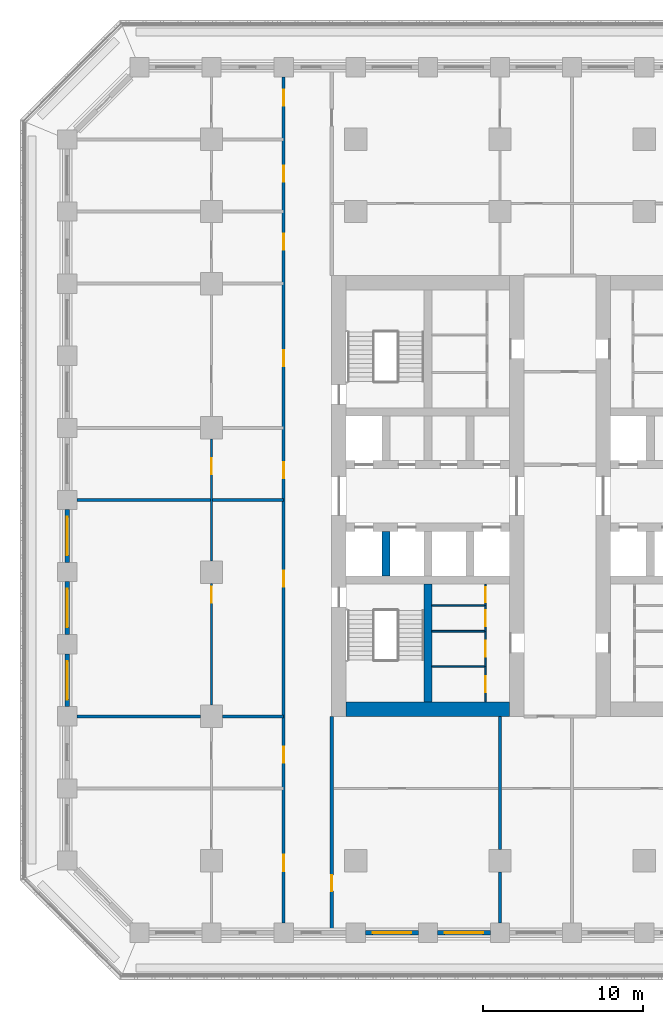
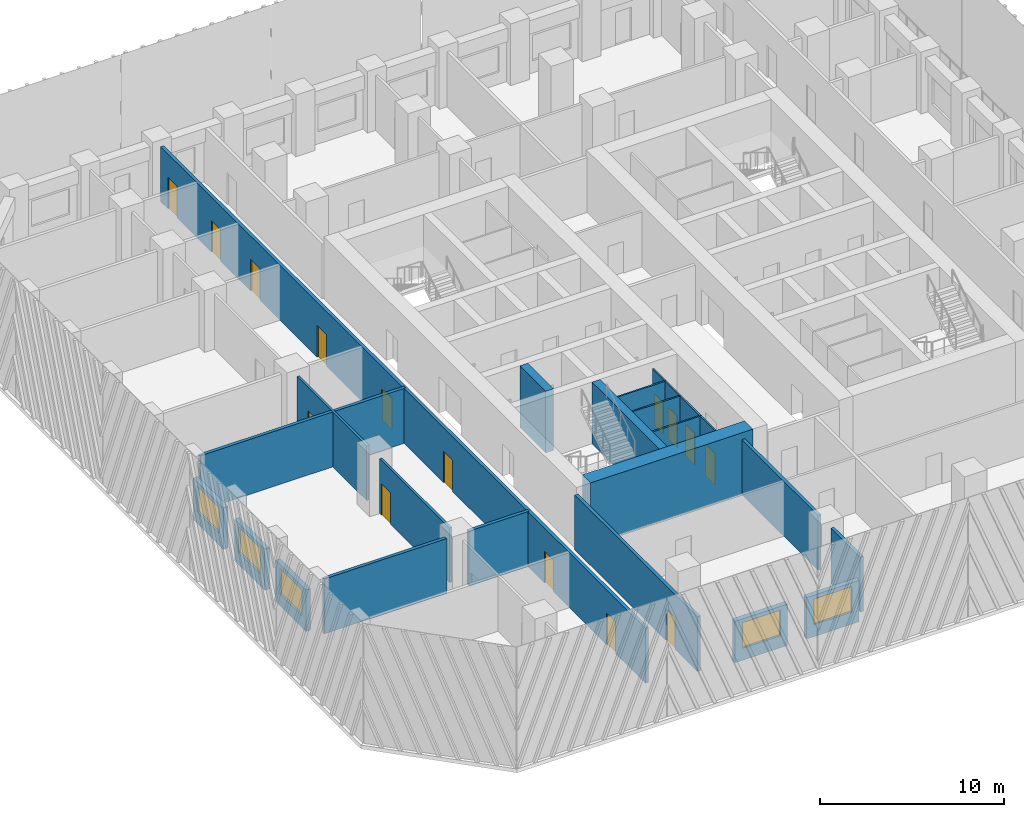
# One storey, part 3 of 19: 24 walls, 15 doors, 5 windows, 20 openings.
"""IFC4 building model written with IfcOpenShell, lengths in metres."""

import ifcopenshell
import ifcopenshell.guid

model = None  # the IFC model being written
_history = None  # IfcOwnerHistory: only IFC2X3 demands one
_inside = {}  # id of a spatial element -> (the spatial element, [elements in it])
_under = {}  # id of a project, library or spatial element -> (it, [spatial elements below it])
_declared = {}  # id of a project -> (the project, [libraries it declares])
_typed = {}  # id of a type object -> (the type object, [elements of that type])
_made_of = {}  # id of a material, layer set ... -> (it, [elements and type objects made of it])


def new_model(schema):
    """Start an empty IFC model of exactly this schema.

    Asked for "IFC4X3", IfcOpenShell would pick the latest addendum, in which some entities
    have other attributes; the version numbers below select the first issue.
    IFC2X3 requires an IfcOwnerHistory on every rooted entity: one is made here for all.
    """
    global model, _history
    if schema == "IFC4X3":
        model = ifcopenshell.file(schema_version=(4, 3, 0, 0))
    else:
        model = ifcopenshell.file(schema=schema)
    _inside.clear()
    _under.clear()
    _declared.clear()
    _typed.clear()
    _made_of.clear()
    _history = None
    if model.schema == "IFC2X3":
        org = make("IfcOrganization", Name="unknown")
        user = make(
            "IfcPersonAndOrganization",
            ThePerson=make("IfcPerson", FamilyName="unknown"),
            TheOrganization=org,
        )
        app = make(
            "IfcApplication",
            ApplicationDeveloper=org,
            Version="unknown",
            ApplicationFullName="unknown",
            ApplicationIdentifier="unknown",
        )
        _history = make(
            "IfcOwnerHistory",
            OwningUser=user,
            OwningApplication=app,
            ChangeAction="ADDED",
            CreationDate=0,
        )
    return model


def make(cls, **values):
    """One entity of the class cls with the attributes given. An attribute that is None is left unset."""
    return model.create_entity(
        cls, **{name: value for name, value in values.items() if value is not None}
    )


def rooted(cls, **values):
    """An entity with a GlobalId (a new one), such as an element, a storey or a relation."""
    return make(cls, GlobalId=ifcopenshell.guid.new(), OwnerHistory=_history, **values)


def si_unit(unit_type, name, prefix=None):
    """IfcSIUnit, for example si_unit("LENGTHUNIT", "METRE", prefix="MILLI")."""
    return make("IfcSIUnit", UnitType=unit_type, Prefix=prefix, Name=name)


def assignment(units):
    """IfcUnitAssignment: the units of a project."""
    return None if units is None else make("IfcUnitAssignment", Units=units)


def point(xyz):
    """IfcCartesianPoint."""
    return None if xyz is None else make("IfcCartesianPoint", Coordinates=xyz)


def direction(xyz):
    """IfcDirection."""
    return None if xyz is None else make("IfcDirection", DirectionRatios=xyz)


def frame(location, z_axis=None, x_axis=None):
    """IfcAxis2Placement3D, a coordinate frame: its origin and axes. An axis left out is left unset."""
    return make(
        "IfcAxis2Placement3D",
        Location=point(location),
        Axis=direction(z_axis),
        RefDirection=direction(x_axis),
    )


def frame_2d(location, x_axis=None):
    """IfcAxis2Placement2D, a coordinate frame in the plane: its origin and x axis."""
    return make(
        "IfcAxis2Placement2D", Location=point(location), RefDirection=direction(x_axis)
    )


def origin():
    """The frame at (0, 0, 0) with its axes left unset."""
    return frame((0.0, 0.0, 0.0))


def place(relative_to, where):
    """IfcLocalPlacement: puts the frame where relative to a parent placement (None: the world)."""
    return make(
        "IfcLocalPlacement", PlacementRelTo=relative_to, RelativePlacement=where
    )


def context(
    kind, dimensions, precision=None, world=None, true_north=None, identifier=None
):
    """IfcGeometricRepresentationContext, for example the 3D "Model" context."""
    return make(
        "IfcGeometricRepresentationContext",
        ContextIdentifier=identifier,
        ContextType=kind,
        CoordinateSpaceDimension=dimensions,
        Precision=precision,
        WorldCoordinateSystem=world,
        TrueNorth=true_north,
    )


def subcontext(parent, identifier, kind, view, scale=None):
    """IfcGeometricRepresentationSubContext, for example "Body" below "Model"."""
    return make(
        "IfcGeometricRepresentationSubContext",
        ContextIdentifier=identifier,
        ContextType=kind,
        ParentContext=parent,
        TargetScale=scale,
        TargetView=view,
    )


def project(units=None, contexts=None):
    """IfcProject with its units and contexts."""
    return rooted(
        "IfcProject",
        Name="project",
        RepresentationContexts=contexts,
        UnitsInContext=assignment(units),
    )


def spatial(cls, under=None, at=None, **own):
    """A site, building, storey or space (cls), placed at a placement, below another one or the project."""
    s = rooted(cls, ObjectPlacement=at, **own)
    if under is not None:
        _under.setdefault(under.id(), (under, []))[1].append(s)
    return s


def profile(cls, at=None, kind="AREA", **sizes):
    """A parametric profile (cls). Its sizes go by their IFC names, for example OverallWidth=200.0."""
    return make(cls, ProfileType=kind, Position=at, **sizes)


def rectangle(**sizes):
    """IfcRectangleProfileDef."""
    return profile("IfcRectangleProfileDef", **sizes)


def extrude(swept, where, along, depth):
    """IfcExtrudedAreaSolid: the profile swept, set in the frame where, extruded along a direction by depth."""
    return make(
        "IfcExtrudedAreaSolid",
        SweptArea=swept,
        Position=where,
        ExtrudedDirection=direction(along),
        Depth=depth,
    )


def shape(context_of_items, identifier, shape_type, items):
    """IfcShapeRepresentation: the items that make up one representation, for example the "Body"."""
    return make(
        "IfcShapeRepresentation",
        ContextOfItems=context_of_items,
        RepresentationIdentifier=identifier,
        RepresentationType=shape_type,
        Items=items,
    )


def material(Name=None, Category=None):
    """IfcMaterial."""
    return make("IfcMaterial", Name=Name, Category=Category)


def layer(
    of_material, thickness, ventilated=None, Name=None, Category=None, Priority=None
):
    """IfcMaterialLayer: one layer of a wall or slab, of a material (None: an air gap)."""
    return make(
        "IfcMaterialLayer",
        Material=of_material,
        LayerThickness=thickness,
        IsVentilated=ventilated,
        Name=Name,
        Category=Category,
        Priority=Priority,
    )


def layer_set(layers, Name=None):
    """IfcMaterialLayerSet."""
    return make("IfcMaterialLayerSet", MaterialLayers=layers, LayerSetName=Name)


def made_of(thing, what):
    """Note that an element or type object is made of a material, layer set ...; save() writes the relation."""
    if what is not None:
        _made_of.setdefault(what.id(), (what, []))[1].append(thing)
    return thing


def type_object(cls, material=None, **own):
    """A type object (cls), such as IfcWallType, which elements share."""
    return made_of(rooted(cls, **own), material)


def element(
    cls,
    number,
    at=None,
    inside=None,
    cuts=None,
    type_object=None,
    material=None,
    context=None,
    identifier="Body",
    shape_type=None,
    held_by="IfcProductDefinitionShape",
    body=None,
    shapes=None,
    **own,
):
    """One element of the class cls, such as IfcWall. Its Tag is "e" and its number.

    at: its placement. inside: the storey or other place that contains it. cuts: it is an
    opening in that element (IfcRelVoidsElement). A single representation is given by context,
    identifier, shape_type and body (its items); several are given by shapes. held_by: the class
    of the entity that holds the representations. save() writes the other relations.
    """
    e = rooted(cls, Tag="e%d" % number, ObjectPlacement=at, **own)
    if body is not None:
        shapes = [shape(context, identifier, shape_type, body)]
    if shapes is not None:
        e.Representation = make(held_by, Representations=shapes)
    if inside is not None:
        _inside.setdefault(inside.id(), (inside, []))[1].append(e)
    if cuts is not None:
        rooted(
            "IfcRelVoidsElement", RelatingBuildingElement=cuts, RelatedOpeningElement=e
        )
    if type_object is not None:
        _typed.setdefault(type_object.id(), (type_object, []))[1].append(e)
    return made_of(e, material)


def fill(opening, filler):
    """IfcRelFillsElement: the door or window that sits in an opening."""
    return rooted(
        "IfcRelFillsElement",
        RelatingOpeningElement=opening,
        RelatedBuildingElement=filler,
    )


def aggregate(whole, parts):
    """IfcRelAggregates: a whole, such as a stair, and the parts it consists of."""
    return rooted("IfcRelAggregates", RelatingObject=whole, RelatedObjects=parts)


def save(model, path):
    """Write the relations noted so far, then the file.

    IfcRelAggregates (storeys below a building ...), IfcRelContainedInSpatialStructure (elements
    in a storey), IfcRelDefinesByType, IfcRelAssociatesMaterial and IfcRelDeclares: one each for
    every whole, place, type object, material and project.
    """
    for whole, parts in _under.values():
        aggregate(whole, parts)
    for where, things in _inside.values():
        rooted(
            "IfcRelContainedInSpatialStructure",
            RelatedElements=things,
            RelatingStructure=where,
        )
    for kind, things in _typed.values():
        rooted("IfcRelDefinesByType", RelatedObjects=things, RelatingType=kind)
    for what, things in _made_of.values():
        rooted("IfcRelAssociatesMaterial", RelatedObjects=things, RelatingMaterial=what)
    for by, libraries in _declared.values():
        rooted("IfcRelDeclares", RelatingContext=by, RelatedDefinitions=libraries)
    model.write(path)


model = new_model("IFC4")

# Units and contexts
model_context = context("Model", 3, precision=1e-05, world=origin(), true_north=direction((0.0, 1.0)))
body_context = subcontext(model_context, "Body", "Model", "MODEL_VIEW")
ifc_project = project(units=[si_unit("LENGTHUNIT", "METRE"), si_unit("AREAUNIT", "SQUARE_METRE"), si_unit("VOLUMEUNIT", "CUBIC_METRE"), si_unit("PLANEANGLEUNIT", "RADIAN"), si_unit("MASSUNIT", "GRAM", prefix="KILO")], contexts=[model_context])

# Site, building, storey
site_placement = place(None, origin())
site = spatial("IfcSite", under=ifc_project, at=site_placement, CompositionType="ELEMENT")
building_placement = place(site_placement, origin())
building = spatial("IfcBuilding", under=site, at=building_placement, Name="Corbel Stack Research Tower", CompositionType="ELEMENT")
storey_placement = place(building_placement, frame((0.0, 0.0, 124.89990234375)))
storey = spatial("IfcBuildingStorey", under=building, at=storey_placement, Name="L28", CompositionType="ELEMENT", Elevation=124.89990234375)

# Walls
ifc_material_1 = material(Name="Concrete C70/85", Category="concrete")
ifc_layer_1 = layer(ifc_material_1, 0.5)
ifc_layer_set_1 = layer_set([ifc_layer_1], Name="Concrete C70/85")
wall_type_1 = type_object("IfcWallType", Name="CW-500-70", PredefinedType="SHEAR", material=ifc_layer_set_1)
wall_1_placement = place(storey_placement, frame((-7.125, -0.25, 0.0), z_axis=(0.0, 0.0, 1.0), x_axis=(0.0, 1.0, 0.0)))
element("IfcWall", 1, at=wall_1_placement, inside=storey, type_object=wall_type_1, Name="West core wall, south shaft 1 L28", PredefinedType="SHEAR", context=body_context, shape_type="SweptSolid", body=[
    extrude(rectangle(XDim=2.800048828125, YDim=0.5, at=frame_2d((1.39990234375, 0.0))), origin(), (0.0, 0.0, 1.0), 4.10009765625),
])
wall_2_placement = place(storey_placement, frame((-4.5, -8.10009765625, 0.0), z_axis=(0.0, 0.0, 1.0), x_axis=(0.0, 1.0, 0.0)))
element("IfcWall", 2, at=wall_2_placement, inside=storey, type_object=wall_type_1, Name="West core wall, south stair and WC L28", PredefinedType="SHEAR", context=body_context, shape_type="SweptSolid", body=[
    extrude(rectangle(XDim=7.35009765625, YDim=0.5, at=frame_2d((3.675048828125, 0.0))), origin(), (0.0, 0.0, 1.0), 4.10009765625),
])
ifc_material_2 = material(Name="Concrete C70/85", Category="concrete")
ifc_layer_2 = layer(ifc_material_2, 0.89990234375)
ifc_layer_set_2 = layer_set([ifc_layer_2], Name="Concrete C70/85")
wall_type_2 = type_object("IfcWallType", Name="CW-900-70", PredefinedType="SHEAR", material=ifc_layer_set_2)
wall_3_placement = place(storey_placement, frame((-9.60009765625, -8.550048828125, 0.0), z_axis=(0.0, 0.0, 1.0), x_axis=(1.0, 0.0, 0.0)))
element("IfcWall", 3, at=wall_3_placement, inside=storey, type_object=wall_type_2, Name="West core wall, south end L28", PredefinedType="SHEAR", context=body_context, shape_type="SweptSolid", body=[
    extrude(rectangle(XDim=10.2001953125, YDim=0.89990234375, at=frame_2d((5.10009765625, 0.0))), origin(), (0.0, 0.0, 1.0), 4.10009765625),
])

# Wall, opening, door
ifc_material_3 = material(Name="Gypsum board")
ifc_layer_3 = layer(ifc_material_3, 0.10009765625)
ifc_layer_set_3 = layer_set([ifc_layer_3], Name="Gypsum board")
wall_type_3 = type_object("IfcWallType", Name="Core partition 100", PredefinedType="PARTITIONING", material=ifc_layer_set_3)
wall_4_placement = place(storey_placement, frame((-0.89990234375, -8.10009765625, 0.0), z_axis=(0.0, 0.0, 1.0), x_axis=(0.0, 1.0, 0.0)))
wall_4 = element("IfcWall", 4, at=wall_4_placement, inside=storey, type_object=wall_type_3, Name="Core partition W", PredefinedType="PARTITIONING", context=body_context, shape_type="SweptSolid", body=[
    extrude(rectangle(XDim=2.205078125, YDim=0.10009765625, at=frame_2d((1.1025390625, 0.0))), origin(), (0.0, 0.0, 1.0), 3.650146484375),
])
opening_1_placement = place(wall_4_placement, frame((0.6025390625, 0.0, 0.0)))
opening_1 = element("IfcOpeningElement", 5, at=opening_1_placement, cuts=wall_4, Name="Opening CR-W42-W2-1000", PredefinedType="OPENING", context=body_context, shape_type="SweptSolid", body=[
    extrude(rectangle(XDim=1.0, YDim=2.10009765625, at=frame_2d((0.5, 1.050048828125))), frame((0.0, 0.06005859375, 0.0), z_axis=(0.0, -1.0, 0.0), x_axis=(1.0, 0.0, 0.0)), (0.0, 0.0, 1.0), 0.1201171875),
])
ifc_material_4 = material(Name="Painted timber door", Category="wood")
door_type_1 = type_object("IfcDoorType", Name="WC door 1000 x 2100 right hand", OperationType="SINGLE_SWING_RIGHT", PredefinedType="DOOR", material=ifc_material_4)
door_1_placement = place(opening_1_placement, origin())
door_1 = element("IfcDoor", 6, at=door_1_placement, inside=storey, type_object=door_type_1, Name="Men's WC door W core", OperationType="SINGLE_SWING_RIGHT", OverallHeight=2.10009765625, OverallWidth=1.0, PredefinedType="DOOR", context=body_context, shape_type="SweptSolid", body=[
    extrude(rectangle(XDim=1.0, YDim=2.10009765625, at=frame_2d((0.5, 1.050048828125))), frame((0.0, 0.02490234375, 0.0), z_axis=(0.0, -1.0, 0.0), x_axis=(1.0, 0.0, 0.0)), (0.0, 0.0, 1.0), 0.050048828125),
])
fill(opening_1, door_1)

wall_5_placement = place(storey_placement, frame((-0.89990234375, -5.89501953125, 0.0), z_axis=(0.0, 0.0, 1.0), x_axis=(0.0, 1.0, 0.0)))
wall_5 = element("IfcWall", 7, at=wall_5_placement, inside=storey, type_object=wall_type_3, Name="Core partition W", PredefinedType="PARTITIONING", context=body_context, shape_type="SweptSolid", body=[
    extrude(rectangle(XDim=2.205078125, YDim=0.10009765625, at=frame_2d((1.1025390625, 0.0))), origin(), (0.0, 0.0, 1.0), 3.650146484375),
])
opening_2_placement = place(wall_5_placement, frame((0.6025390625, 0.0, 0.0)))
opening_2 = element("IfcOpeningElement", 8, at=opening_2_placement, cuts=wall_5, Name="Opening CR-W42-W3-1000", PredefinedType="OPENING", context=body_context, shape_type="SweptSolid", body=[
    extrude(rectangle(XDim=1.0, YDim=2.10009765625, at=frame_2d((0.5, 1.050048828125))), frame((0.0, 0.06005859375, 0.0), z_axis=(0.0, -1.0, 0.0), x_axis=(1.0, 0.0, 0.0)), (0.0, 0.0, 1.0), 0.1201171875),
])
ifc_material_5 = material(Name="Painted timber door", Category="wood")
door_type_2 = type_object("IfcDoorType", Name="WC door 1000 x 2100 left hand", OperationType="SINGLE_SWING_LEFT", PredefinedType="DOOR", material=ifc_material_5)
door_2_placement = place(opening_2_placement, origin())
door_2 = element("IfcDoor", 9, at=door_2_placement, inside=storey, type_object=door_type_2, Name="Women's WC door W core", OperationType="SINGLE_SWING_LEFT", OverallHeight=2.10009765625, OverallWidth=1.0, PredefinedType="DOOR", context=body_context, shape_type="SweptSolid", body=[
    extrude(rectangle(XDim=1.0, YDim=2.10009765625, at=frame_2d((0.5, 1.050048828125))), frame((0.0, 0.02490234375, 0.0), z_axis=(0.0, -1.0, 0.0), x_axis=(1.0, 0.0, 0.0)), (0.0, 0.0, 1.0), 0.050048828125),
])
fill(opening_2, door_2)

wall_6_placement = place(storey_placement, frame((-0.89990234375, -3.68994140625, 0.0), z_axis=(0.0, 0.0, 1.0), x_axis=(0.0, 1.0, 0.0)))
wall_6 = element("IfcWall", 10, at=wall_6_placement, inside=storey, type_object=wall_type_3, Name="Core partition W", PredefinedType="PARTITIONING", context=body_context, shape_type="SweptSolid", body=[
    extrude(rectangle(XDim=1.616943359375, YDim=0.10009765625, at=frame_2d((0.80859375, 0.0))), origin(), (0.0, 0.0, 1.0), 3.650146484375),
])
opening_3_placement = place(wall_6_placement, frame((0.30859375, 0.0, 0.0)))
opening_3 = element("IfcOpeningElement", 11, at=opening_3_placement, cuts=wall_6, Name="Opening CR-W42-W4-1000", PredefinedType="OPENING", context=body_context, shape_type="SweptSolid", body=[
    extrude(rectangle(XDim=1.0, YDim=2.10009765625, at=frame_2d((0.5, 1.050048828125))), frame((0.0, 0.06005859375, 0.0), z_axis=(0.0, -1.0, 0.0), x_axis=(1.0, 0.0, 0.0)), (0.0, 0.0, 1.0), 0.1201171875),
])
door_3_placement = place(opening_3_placement, origin())
door_3 = element("IfcDoor", 12, at=door_3_placement, inside=storey, type_object=door_type_1, Name="Accessible WC door W core", OperationType="SINGLE_SWING_RIGHT", OverallHeight=2.10009765625, OverallWidth=1.0, PredefinedType="DOOR", context=body_context, shape_type="SweptSolid", body=[
    extrude(rectangle(XDim=1.0, YDim=2.10009765625, at=frame_2d((0.5, 1.050048828125))), frame((0.0, 0.02490234375, 0.0), z_axis=(0.0, -1.0, 0.0), x_axis=(1.0, 0.0, 0.0)), (0.0, 0.0, 1.0), 0.050048828125),
])
fill(opening_3, door_3)

wall_7_placement = place(storey_placement, frame((-0.89990234375, -2.072998046875, 0.0), z_axis=(0.0, 0.0, 1.0), x_axis=(0.0, 1.0, 0.0)))
wall_7 = element("IfcWall", 13, at=wall_7_placement, inside=storey, type_object=wall_type_3, Name="Core partition W", PredefinedType="PARTITIONING", context=body_context, shape_type="SweptSolid", body=[
    extrude(rectangle(XDim=1.322998046875, YDim=0.10009765625, at=frame_2d((0.66162109375, 0.0))), origin(), (0.0, 0.0, 1.0), 3.650146484375),
])
opening_4_placement = place(wall_7_placement, frame((0.199951171875, 0.0, 0.0)))
opening_4 = element("IfcOpeningElement", 14, at=opening_4_placement, cuts=wall_7, Name="Opening CR-W42-W5-923", PredefinedType="OPENING", context=body_context, shape_type="SweptSolid", body=[
    extrude(rectangle(XDim=0.923095703125, YDim=2.10009765625, at=frame_2d((0.46142578125, 1.050048828125))), frame((0.0, 0.06005859375, 0.0), z_axis=(0.0, -1.0, 0.0), x_axis=(1.0, 0.0, 0.0)), (0.0, 0.0, 1.0), 0.1201171875),
])
ifc_material_6 = material(Name="Painted steel door", Category="steel")
door_type_3 = type_object("IfcDoorType", Name="Service door 923 x 2100 FD30 left hand", OperationType="SINGLE_SWING_LEFT", PredefinedType="DOOR", material=ifc_material_6)
door_4_placement = place(opening_4_placement, origin())
door_4 = element("IfcDoor", 15, at=door_4_placement, inside=storey, type_object=door_type_3, Name="Cleaner's store door W core", OperationType="SINGLE_SWING_LEFT", OverallHeight=2.10009765625, OverallWidth=0.923095703125, PredefinedType="DOOR", context=body_context, shape_type="SweptSolid", body=[
    extrude(rectangle(XDim=0.923095703125, YDim=2.10009765625, at=frame_2d((0.46142578125, 1.050048828125))), frame((0.0, 0.02490234375, 0.0), z_axis=(0.0, -1.0, 0.0), x_axis=(1.0, 0.0, 0.0)), (0.0, 0.0, 1.0), 0.050048828125),
])
fill(opening_4, door_4)

# Walls
for number, where, z_axis, x_axis, name in (
    (16, (-4.25, -5.89501953125, 0.0), (0.0, 0.0, 1.0), (1.0, 0.0, 0.0), "Core partition W"),
    (17, (-4.25, -3.68994140625, 0.0), (0.0, 0.0, 1.0), (1.0, 0.0, 0.0), "Core partition W"),
    (18, (-4.25, -2.072998046875, 0.0), (0.0, 0.0, 1.0), (1.0, 0.0, 0.0), "Core partition W"),
):
    element("IfcWall", number, at=place(storey_placement, frame(where, z_axis=z_axis, x_axis=x_axis)), inside=storey, type_object=wall_type_3, Name=name, PredefinedType="PARTITIONING", context=body_context, shape_type="SweptSolid", body=[
        extrude(rectangle(XDim=3.35009765625, YDim=0.10009765625, at=frame_2d((1.675048828125, 0.0))), origin(), (0.0, 0.0, 1.0), 3.650146484375),
    ])

# Wall, openings, doors
ifc_material_7 = material(Name="Fire-rated gypsum board partition on steel studs", Category="steel")
ifc_layer_4 = layer(ifc_material_7, 0.199951171875)
ifc_layer_set_4 = layer_set([ifc_layer_4], Name="Fire-rated gypsum board partition on steel studs")
wall_type_4 = type_object("IfcWallType", Name="Fire-rated partition 200 EI 60", PredefinedType="PARTITIONING", material=ifc_layer_set_4)
wall_8_placement = place(storey_placement, frame((-13.5, -21.89990234375, 0.0), z_axis=(0.0, 0.0, 1.0), x_axis=(0.0, 1.0, 0.0)))
wall_8 = element("IfcWall", 19, at=wall_8_placement, inside=storey, type_object=wall_type_4, Name="Partition L28-009", PredefinedType="PARTITIONING", context=body_context, shape_type="SweptSolid", body=[
    extrude(rectangle(XDim=52.7998046875, YDim=0.199951171875, at=frame_2d((26.39990234375, 0.0))), origin(), (0.0, 0.0, 1.0), 3.650146484375),
])
opening_5_placement = place(wall_8_placement, frame((3.25, 0.0, 0.0)))
opening_5 = element("IfcOpeningElement", 20, at=opening_5_placement, cuts=wall_8, Name="Opening B4V1-009", PredefinedType="OPENING", context=body_context, shape_type="SweptSolid", body=[
    extrude(rectangle(XDim=1.0, YDim=2.10009765625, at=frame_2d((0.5, 1.050048828125))), frame((0.0, 0.10986328125, 0.0), z_axis=(0.0, -1.0, 0.0), x_axis=(1.0, 0.0, 0.0)), (0.0, 0.0, 1.0), 0.219970703125),
])
opening_6_placement = place(wall_8_placement, frame((10.0, 0.0, 0.0)))
opening_6 = element("IfcOpeningElement", 21, at=opening_6_placement, cuts=wall_8, Name="Opening B4V1-010", PredefinedType="OPENING", context=body_context, shape_type="SweptSolid", body=[
    extrude(rectangle(XDim=1.0, YDim=2.10009765625, at=frame_2d((0.5, 1.050048828125))), frame((0.0, 0.10986328125, 0.0), z_axis=(0.0, -1.0, 0.0), x_axis=(1.0, 0.0, 0.0)), (0.0, 0.0, 1.0), 0.219970703125),
])
opening_7_placement = place(wall_8_placement, frame((21.0, 0.0, 0.0)))
opening_7 = element("IfcOpeningElement", 22, at=opening_7_placement, cuts=wall_8, Name="Opening B4V1-012", PredefinedType="OPENING", context=body_context, shape_type="SweptSolid", body=[
    extrude(rectangle(XDim=1.0, YDim=2.10009765625, at=frame_2d((0.5, 1.050048828125))), frame((0.0, 0.10986328125, 0.0), z_axis=(0.0, -1.0, 0.0), x_axis=(1.0, 0.0, 0.0)), (0.0, 0.0, 1.0), 0.219970703125),
])
opening_8_placement = place(wall_8_placement, frame((27.75, 0.0, 0.0)))
opening_8 = element("IfcOpeningElement", 23, at=opening_8_placement, cuts=wall_8, Name="Opening B4V1-014", PredefinedType="OPENING", context=body_context, shape_type="SweptSolid", body=[
    extrude(rectangle(XDim=1.0, YDim=2.10009765625, at=frame_2d((0.5, 1.050048828125))), frame((0.0, 0.10986328125, 0.0), z_axis=(0.0, -1.0, 0.0), x_axis=(1.0, 0.0, 0.0)), (0.0, 0.0, 1.0), 0.219970703125),
])
opening_9_placement = place(wall_8_placement, frame((34.75, 0.0, 0.0)))
opening_9 = element("IfcOpeningElement", 24, at=opening_9_placement, cuts=wall_8, Name="Opening B4V1-016", PredefinedType="OPENING", context=body_context, shape_type="SweptSolid", body=[
    extrude(rectangle(XDim=1.0, YDim=2.10009765625, at=frame_2d((0.5, 1.050048828125))), frame((0.0, 0.10986328125, 0.0), z_axis=(0.0, -1.0, 0.0), x_axis=(1.0, 0.0, 0.0)), (0.0, 0.0, 1.0), 0.219970703125),
])
opening_10_placement = place(wall_8_placement, frame((42.0, 0.0, 0.0)))
opening_10 = element("IfcOpeningElement", 25, at=opening_10_placement, cuts=wall_8, Name="Opening B4V1-017", PredefinedType="OPENING", context=body_context, shape_type="SweptSolid", body=[
    extrude(rectangle(XDim=1.0, YDim=2.10009765625, at=frame_2d((0.5, 1.050048828125))), frame((0.0, 0.10986328125, 0.0), z_axis=(0.0, -1.0, 0.0), x_axis=(1.0, 0.0, 0.0)), (0.0, 0.0, 1.0), 0.219970703125),
])
opening_11_placement = place(wall_8_placement, frame((46.25, 0.0, 0.0)))
opening_11 = element("IfcOpeningElement", 26, at=opening_11_placement, cuts=wall_8, Name="Opening B4V1-018", PredefinedType="OPENING", context=body_context, shape_type="SweptSolid", body=[
    extrude(rectangle(XDim=1.0, YDim=2.10009765625, at=frame_2d((0.5, 1.050048828125))), frame((0.0, 0.10986328125, 0.0), z_axis=(0.0, -1.0, 0.0), x_axis=(1.0, 0.0, 0.0)), (0.0, 0.0, 1.0), 0.219970703125),
])
opening_12_placement = place(wall_8_placement, frame((51.0, 0.0, 0.0)))
opening_12 = element("IfcOpeningElement", 27, at=opening_12_placement, cuts=wall_8, Name="Opening B4V1-019", PredefinedType="OPENING", context=body_context, shape_type="SweptSolid", body=[
    extrude(rectangle(XDim=1.0, YDim=2.10009765625, at=frame_2d((0.5, 1.050048828125))), frame((0.0, 0.10986328125, 0.0), z_axis=(0.0, -1.0, 0.0), x_axis=(1.0, 0.0, 0.0)), (0.0, 0.0, 1.0), 0.219970703125),
])
ifc_material_8 = material(Name="Painted steel fire door", Category="steel")
door_type_4 = type_object("IfcDoorType", Name="Fire door FD30S 1000 x 2100", OperationType="NOTDEFINED", PredefinedType="DOOR", material=ifc_material_8)
door_5_placement = place(opening_5_placement, origin())
door_5 = element("IfcDoor", 28, at=door_5_placement, inside=storey, type_object=door_type_4, Name="Door B4V1-009", OperationType="SINGLE_SWING_LEFT", OverallHeight=2.10009765625, OverallWidth=1.0, PredefinedType="DOOR", context=body_context, shape_type="SweptSolid", body=[
    extrude(rectangle(XDim=1.0, YDim=2.10009765625, at=frame_2d((0.5, 1.050048828125))), frame((0.0, 0.02490234375, 0.0), z_axis=(0.0, -1.0, 0.0), x_axis=(1.0, 0.0, 0.0)), (0.0, 0.0, 1.0), 0.050048828125),
])
fill(opening_5, door_5)
door_6_placement = place(opening_6_placement, origin())
door_6 = element("IfcDoor", 29, at=door_6_placement, inside=storey, type_object=door_type_4, Name="Door B4V1-010", OperationType="SINGLE_SWING_LEFT", OverallHeight=2.10009765625, OverallWidth=1.0, PredefinedType="DOOR", context=body_context, shape_type="SweptSolid", body=[
    extrude(rectangle(XDim=1.0, YDim=2.10009765625, at=frame_2d((0.5, 1.050048828125))), frame((0.0, 0.02490234375, 0.0), z_axis=(0.0, -1.0, 0.0), x_axis=(1.0, 0.0, 0.0)), (0.0, 0.0, 1.0), 0.050048828125),
])
fill(opening_6, door_6)
door_7_placement = place(opening_7_placement, origin())
door_7 = element("IfcDoor", 30, at=door_7_placement, inside=storey, type_object=door_type_4, Name="Door B4V1-012", OperationType="SINGLE_SWING_LEFT", OverallHeight=2.10009765625, OverallWidth=1.0, PredefinedType="DOOR", context=body_context, shape_type="SweptSolid", body=[
    extrude(rectangle(XDim=1.0, YDim=2.10009765625, at=frame_2d((0.5, 1.050048828125))), frame((0.0, 0.02490234375, 0.0), z_axis=(0.0, -1.0, 0.0), x_axis=(1.0, 0.0, 0.0)), (0.0, 0.0, 1.0), 0.050048828125),
])
fill(opening_7, door_7)
door_8_placement = place(opening_8_placement, origin())
door_8 = element("IfcDoor", 31, at=door_8_placement, inside=storey, type_object=door_type_4, Name="Door B4V1-014", OperationType="SINGLE_SWING_RIGHT", OverallHeight=2.10009765625, OverallWidth=1.0, PredefinedType="DOOR", context=body_context, shape_type="SweptSolid", body=[
    extrude(rectangle(XDim=1.0, YDim=2.10009765625, at=frame_2d((0.5, 1.050048828125))), frame((0.0, 0.02490234375, 0.0), z_axis=(0.0, -1.0, 0.0), x_axis=(1.0, 0.0, 0.0)), (0.0, 0.0, 1.0), 0.050048828125),
])
fill(opening_8, door_8)
door_9_placement = place(opening_9_placement, origin())
door_9 = element("IfcDoor", 32, at=door_9_placement, inside=storey, type_object=door_type_4, Name="Door B4V1-016", OperationType="SINGLE_SWING_RIGHT", OverallHeight=2.10009765625, OverallWidth=1.0, PredefinedType="DOOR", context=body_context, shape_type="SweptSolid", body=[
    extrude(rectangle(XDim=1.0, YDim=2.10009765625, at=frame_2d((0.5, 1.050048828125))), frame((0.0, 0.02490234375, 0.0), z_axis=(0.0, -1.0, 0.0), x_axis=(1.0, 0.0, 0.0)), (0.0, 0.0, 1.0), 0.050048828125),
])
fill(opening_9, door_9)
door_10_placement = place(opening_10_placement, origin())
door_10 = element("IfcDoor", 33, at=door_10_placement, inside=storey, type_object=door_type_4, Name="Door B4V1-017", OperationType="SINGLE_SWING_RIGHT", OverallHeight=2.10009765625, OverallWidth=1.0, PredefinedType="DOOR", context=body_context, shape_type="SweptSolid", body=[
    extrude(rectangle(XDim=1.0, YDim=2.10009765625, at=frame_2d((0.5, 1.050048828125))), frame((0.0, 0.02490234375, 0.0), z_axis=(0.0, -1.0, 0.0), x_axis=(1.0, 0.0, 0.0)), (0.0, 0.0, 1.0), 0.050048828125),
])
fill(opening_10, door_10)
door_11_placement = place(opening_11_placement, origin())
door_11 = element("IfcDoor", 34, at=door_11_placement, inside=storey, type_object=door_type_4, Name="Door B4V1-018", OperationType="SINGLE_SWING_RIGHT", OverallHeight=2.10009765625, OverallWidth=1.0, PredefinedType="DOOR", context=body_context, shape_type="SweptSolid", body=[
    extrude(rectangle(XDim=1.0, YDim=2.10009765625, at=frame_2d((0.5, 1.050048828125))), frame((0.0, 0.02490234375, 0.0), z_axis=(0.0, -1.0, 0.0), x_axis=(1.0, 0.0, 0.0)), (0.0, 0.0, 1.0), 0.050048828125),
])
fill(opening_11, door_11)
door_12_placement = place(opening_12_placement, origin())
door_12 = element("IfcDoor", 35, at=door_12_placement, inside=storey, type_object=door_type_4, Name="Door B4V1-019", OperationType="SINGLE_SWING_RIGHT", OverallHeight=2.10009765625, OverallWidth=1.0, PredefinedType="DOOR", context=body_context, shape_type="SweptSolid", body=[
    extrude(rectangle(XDim=1.0, YDim=2.10009765625, at=frame_2d((0.5, 1.050048828125))), frame((0.0, 0.02490234375, 0.0), z_axis=(0.0, -1.0, 0.0), x_axis=(1.0, 0.0, 0.0)), (0.0, 0.0, 1.0), 0.050048828125),
])
fill(opening_12, door_12)

# Wall, opening, door
wall_9_placement = place(storey_placement, frame((-10.5, -9.0, 0.0), z_axis=(0.0, 0.0, 1.0), x_axis=(0.0, -1.0, 0.0)))
wall_9 = element("IfcWall", 36, at=wall_9_placement, inside=storey, type_object=wall_type_4, Name="Partition L28-010", PredefinedType="PARTITIONING", context=body_context, shape_type="SweptSolid", body=[
    extrude(rectangle(XDim=13.35009765625, YDim=0.199951171875, at=frame_2d((6.675048828125, 0.0))), origin(), (0.0, 0.0, 1.0), 3.650146484375),
])
opening_13_placement = place(wall_9_placement, frame((9.89990234375, 0.0, 0.0)))
opening_13 = element("IfcOpeningElement", 37, at=opening_13_placement, cuts=wall_9, Name="Opening B4V1-020", PredefinedType="OPENING", context=body_context, shape_type="SweptSolid", body=[
    extrude(rectangle(XDim=1.0, YDim=2.10009765625, at=frame_2d((0.5, 1.050048828125))), frame((0.0, 0.10986328125, 0.0), z_axis=(0.0, -1.0, 0.0), x_axis=(1.0, 0.0, 0.0)), (0.0, 0.0, 1.0), 0.219970703125),
])
door_13_placement = place(opening_13_placement, origin())
door_13 = element("IfcDoor", 38, at=door_13_placement, inside=storey, type_object=door_type_4, Name="Door B4V1-020", OperationType="SINGLE_SWING_RIGHT", OverallHeight=2.10009765625, OverallWidth=1.0, PredefinedType="DOOR", context=body_context, shape_type="SweptSolid", body=[
    extrude(rectangle(XDim=1.0, YDim=2.10009765625, at=frame_2d((0.5, 1.050048828125))), frame((0.0, 0.02490234375, 0.0), z_axis=(0.0, -1.0, 0.0), x_axis=(1.0, 0.0, 0.0)), (0.0, 0.0, 1.0), 0.050048828125),
])
fill(opening_13, door_13)

# Walls
wall_10_placement = place(storey_placement, frame((0.0, -21.89990234375, 0.0), z_axis=(0.0, 0.0, 1.0), x_axis=(0.0, 1.0, 0.0)))
element("IfcWall", 39, at=wall_10_placement, inside=storey, type_object=wall_type_4, Name="Partition L28-015", PredefinedType="PARTITIONING", context=body_context, shape_type="SweptSolid", body=[
    extrude(rectangle(XDim=3.199951171875, YDim=0.199951171875, at=frame_2d((1.60009765625, 0.0))), origin(), (0.0, 0.0, 1.0), 3.650146484375),
])
wall_11_placement = place(storey_placement, frame((0.0, -17.300048828125, 0.0), z_axis=(0.0, 0.0, 1.0), x_axis=(0.0, 1.0, 0.0)))
element("IfcWall", 40, at=wall_11_placement, inside=storey, type_object=wall_type_4, Name="Partition L28-016", PredefinedType="PARTITIONING", context=body_context, shape_type="SweptSolid", body=[
    extrude(rectangle(XDim=8.300048828125, YDim=0.199951171875, at=frame_2d((4.14990234375, 0.0))), origin(), (0.0, 0.0, 1.0), 3.650146484375),
])
wall_12_placement = place(storey_placement, frame((-26.39990234375, -9.0, 0.0), z_axis=(0.0, 0.0, 1.0), x_axis=(1.0, 0.0, 0.0)))
element("IfcWall", 41, at=wall_12_placement, inside=storey, type_object=wall_type_4, Name="Partition L28-028", PredefinedType="PARTITIONING", context=body_context, shape_type="SweptSolid", body=[
    extrude(rectangle(XDim=7.699951171875, YDim=0.199951171875, at=frame_2d((3.85009765625, 0.0))), origin(), (0.0, 0.0, 1.0), 3.650146484375),
])
wall_13_placement = place(storey_placement, frame((-17.300048828125, -9.0, 0.0), z_axis=(0.0, 0.0, 1.0), x_axis=(1.0, 0.0, 0.0)))
element("IfcWall", 42, at=wall_13_placement, inside=storey, type_object=wall_type_4, Name="Partition L28-029", PredefinedType="PARTITIONING", context=body_context, shape_type="SweptSolid", body=[
    extrude(rectangle(XDim=3.800048828125, YDim=0.199951171875, at=frame_2d((1.89990234375, 0.0))), origin(), (0.0, 0.0, 1.0), 3.650146484375),
])
wall_14_placement = place(storey_placement, frame((-26.39990234375, 4.5, 0.0), z_axis=(0.0, 0.0, 1.0), x_axis=(1.0, 0.0, 0.0)))
element("IfcWall", 43, at=wall_14_placement, inside=storey, type_object=wall_type_4, Name="Partition L28-033", PredefinedType="PARTITIONING", context=body_context, shape_type="SweptSolid", body=[
    extrude(rectangle(XDim=12.89990234375, YDim=0.199951171875, at=frame_2d((6.449951171875, 0.0))), origin(), (0.0, 0.0, 1.0), 3.650146484375),
])

# Wall, opening, door
ifc_material_9 = material(Name="Gypsum board partition on steel studs", Category="steel")
ifc_layer_5 = layer(ifc_material_9, 0.14990234375)
ifc_layer_set_5 = layer_set([ifc_layer_5], Name="Gypsum board partition on steel studs")
wall_type_5 = type_object("IfcWallType", Name="Partition 150", PredefinedType="PARTITIONING", material=ifc_layer_set_5)
wall_15_placement = place(storey_placement, frame((-18.0, -8.300048828125, 0.0), z_axis=(0.0, 0.0, 1.0), x_axis=(0.0, 1.0, 0.0)))
wall_15 = element("IfcWall", 44, at=wall_15_placement, inside=storey, type_object=wall_type_5, Name="Partition L28-003", PredefinedType="PARTITIONING", context=body_context, shape_type="SweptSolid", body=[
    extrude(rectangle(XDim=7.60009765625, YDim=0.14990234375, at=frame_2d((3.800048828125, 0.0))), origin(), (0.0, 0.0, 1.0), 3.650146484375),
])
opening_14_placement = place(wall_15_placement, frame((6.39990234375, 0.0, 0.0)))
opening_14 = element("IfcOpeningElement", 45, at=opening_14_placement, cuts=wall_15, Name="Opening B4V1-003", PredefinedType="OPENING", context=body_context, shape_type="SweptSolid", body=[
    extrude(rectangle(XDim=1.0, YDim=2.10009765625, at=frame_2d((0.5, 1.050048828125))), frame((0.0, 0.0849609375, 0.0), z_axis=(0.0, -1.0, 0.0), x_axis=(1.0, 0.0, 0.0)), (0.0, 0.0, 1.0), 0.169921875),
])
ifc_material_10 = material(Name="Painted timber door", Category="wood")
door_type_5 = type_object("IfcDoorType", Name="Single door 1000 x 2100", OperationType="NOTDEFINED", PredefinedType="DOOR", material=ifc_material_10)
door_14_placement = place(opening_14_placement, origin())
door_14 = element("IfcDoor", 46, at=door_14_placement, inside=storey, type_object=door_type_5, Name="Door B4V1-003", OperationType="SINGLE_SWING_RIGHT", OverallHeight=2.10009765625, OverallWidth=1.0, PredefinedType="DOOR", context=body_context, shape_type="SweptSolid", body=[
    extrude(rectangle(XDim=1.0, YDim=2.10009765625, at=frame_2d((0.5, 1.050048828125))), frame((0.0, 0.02490234375, 0.0), z_axis=(0.0, -1.0, 0.0), x_axis=(1.0, 0.0, 0.0)), (0.0, 0.0, 1.0), 0.050048828125),
])
fill(opening_14, door_14)

wall_16_placement = place(storey_placement, frame((-18.0, 0.699951171875, 0.0), z_axis=(0.0, 0.0, 1.0), x_axis=(0.0, 1.0, 0.0)))
wall_16 = element("IfcWall", 47, at=wall_16_placement, inside=storey, type_object=wall_type_5, Name="Partition L28-004", PredefinedType="PARTITIONING", context=body_context, shape_type="SweptSolid", body=[
    extrude(rectangle(XDim=7.60009765625, YDim=0.14990234375, at=frame_2d((3.800048828125, 0.0))), origin(), (0.0, 0.0, 1.0), 3.650146484375),
])
opening_15_placement = place(wall_16_placement, frame((5.39990234375, 0.0, 0.0)))
opening_15 = element("IfcOpeningElement", 48, at=opening_15_placement, cuts=wall_16, Name="Opening B4V1-004", PredefinedType="OPENING", context=body_context, shape_type="SweptSolid", body=[
    extrude(rectangle(XDim=1.0, YDim=2.10009765625, at=frame_2d((0.5, 1.050048828125))), frame((0.0, 0.0849609375, 0.0), z_axis=(0.0, -1.0, 0.0), x_axis=(1.0, 0.0, 0.0)), (0.0, 0.0, 1.0), 0.169921875),
])
door_15_placement = place(opening_15_placement, origin())
door_15 = element("IfcDoor", 49, at=door_15_placement, inside=storey, type_object=door_type_5, Name="Door B4V1-004", OperationType="SINGLE_SWING_RIGHT", OverallHeight=2.10009765625, OverallWidth=1.0, PredefinedType="DOOR", context=body_context, shape_type="SweptSolid", body=[
    extrude(rectangle(XDim=1.0, YDim=2.10009765625, at=frame_2d((0.5, 1.050048828125))), frame((0.0, 0.02490234375, 0.0), z_axis=(0.0, -1.0, 0.0), x_axis=(1.0, 0.0, 0.0)), (0.0, 0.0, 1.0), 0.050048828125),
])
fill(opening_15, door_15)

# Wall, opening, window
ifc_material_11 = material(Name="Concrete C45/55", Category="concrete")
ifc_layer_6 = layer(ifc_material_11, 0.300048828125)
ifc_layer_set_6 = layer_set([ifc_layer_6], Name="Concrete C45/55")
wall_type_6 = type_object("IfcWallType", Name="Terracotta-faced concrete wall 300", PredefinedType="SOLIDWALL", material=ifc_layer_set_6)
wall_17_placement = place(storey_placement, frame((-5.10009765625, -22.5, 0.0), z_axis=(0.0, 0.0, 1.0), x_axis=(-1.0, 0.0, 0.0)))
wall_17 = element("IfcWall", 50, at=wall_17_placement, inside=storey, type_object=wall_type_6, Name="Facade wall L28 S04", PredefinedType="SOLIDWALL", context=body_context, shape_type="SweptSolid", body=[
    extrude(rectangle(XDim=3.2998046875, YDim=0.300048828125, at=frame_2d((1.64990234375, 0.0))), origin(), (0.0, 0.0, 1.0), 2.75),
])
opening_16_placement = place(wall_17_placement, frame((0.449951171875, 0.0, 0.800048828125)))
opening_16 = element("IfcOpeningElement", 51, at=opening_16_placement, cuts=wall_17, Name="Opening W1", PredefinedType="OPENING", context=body_context, shape_type="SweptSolid", body=[
    extrude(rectangle(XDim=2.39990234375, YDim=1.699951171875, at=frame_2d((1.199951171875, 0.85009765625))), frame((0.0, 0.159912109375, 0.0), z_axis=(0.0, -1.0, 0.0), x_axis=(1.0, 0.0, 0.0)), (0.0, 0.0, 1.0), 0.320068359375),
])
ifc_material_12 = material(Name="Aluminium frame, clear double glazing", Category="aluminium")
window_type = type_object("IfcWindowType", Name="Window W1 2400 x 1700", PartitioningType="SINGLE_PANEL", PredefinedType="WINDOW", material=ifc_material_12)
window_1_placement = place(opening_16_placement, origin())
window_1 = element("IfcWindow", 52, at=window_1_placement, inside=storey, type_object=window_type, Name="Window W1 L28 S04", OverallHeight=1.699951171875, OverallWidth=2.39990234375, PartitioningType="SINGLE_PANEL", PredefinedType="WINDOW", context=body_context, shape_type="SweptSolid", body=[
    extrude(rectangle(XDim=2.39990234375, YDim=1.699951171875, at=frame_2d((1.199951171875, 0.85009765625))), frame((0.0, 0.030029296875, 0.0), z_axis=(0.0, -1.0, 0.0), x_axis=(1.0, 0.0, 0.0)), (0.0, 0.0, 1.0), 0.06005859375),
])
fill(opening_16, window_1)

wall_18_placement = place(storey_placement, frame((-0.60009765625, -22.5, 0.0), z_axis=(0.0, 0.0, 1.0), x_axis=(-1.0, 0.0, 0.0)))
wall_18 = element("IfcWall", 53, at=wall_18_placement, inside=storey, type_object=wall_type_6, Name="Facade wall L28 S05", PredefinedType="SOLIDWALL", context=body_context, shape_type="SweptSolid", body=[
    extrude(rectangle(XDim=3.2998046875, YDim=0.300048828125, at=frame_2d((1.64990234375, 0.0))), origin(), (0.0, 0.0, 1.0), 2.75),
])
opening_17_placement = place(wall_18_placement, frame((0.449951171875, 0.0, 0.800048828125)))
opening_17 = element("IfcOpeningElement", 54, at=opening_17_placement, cuts=wall_18, Name="Opening W1", PredefinedType="OPENING", context=body_context, shape_type="SweptSolid", body=[
    extrude(rectangle(XDim=2.39990234375, YDim=1.699951171875, at=frame_2d((1.199951171875, 0.85009765625))), frame((0.0, 0.159912109375, 0.0), z_axis=(0.0, -1.0, 0.0), x_axis=(1.0, 0.0, 0.0)), (0.0, 0.0, 1.0), 0.320068359375),
])
window_2_placement = place(opening_17_placement, origin())
window_2 = element("IfcWindow", 55, at=window_2_placement, inside=storey, type_object=window_type, Name="Window W1 L28 S05", OverallHeight=1.699951171875, OverallWidth=2.39990234375, PartitioningType="SINGLE_PANEL", PredefinedType="WINDOW", context=body_context, shape_type="SweptSolid", body=[
    extrude(rectangle(XDim=2.39990234375, YDim=1.699951171875, at=frame_2d((1.199951171875, 0.85009765625))), frame((0.0, 0.030029296875, 0.0), z_axis=(0.0, -1.0, 0.0), x_axis=(1.0, 0.0, 0.0)), (0.0, 0.0, 1.0), 0.06005859375),
])
fill(opening_17, window_2)

wall_19_placement = place(storey_placement, frame((-27.0, 0.60009765625, 0.0), z_axis=(0.0, 0.0, 1.0), x_axis=(0.0, 1.0, 0.0)))
wall_19 = element("IfcWall", 56, at=wall_19_placement, inside=storey, type_object=wall_type_6, Name="Facade wall L28 W06", PredefinedType="SOLIDWALL", context=body_context, shape_type="SweptSolid", body=[
    extrude(rectangle(XDim=3.2998046875, YDim=0.300048828125, at=frame_2d((1.64990234375, 0.0))), origin(), (0.0, 0.0, 1.0), 2.75),
])
opening_18_placement = place(wall_19_placement, frame((0.449951171875, 0.0, 0.800048828125)))
opening_18 = element("IfcOpeningElement", 57, at=opening_18_placement, cuts=wall_19, Name="Opening W1", PredefinedType="OPENING", context=body_context, shape_type="SweptSolid", body=[
    extrude(rectangle(XDim=2.39990234375, YDim=1.699951171875, at=frame_2d((1.199951171875, 0.85009765625))), frame((0.0, 0.159912109375, 0.0), z_axis=(0.0, -1.0, 0.0), x_axis=(1.0, 0.0, 0.0)), (0.0, 0.0, 1.0), 0.320068359375),
])
window_3_placement = place(opening_18_placement, origin())
window_3 = element("IfcWindow", 58, at=window_3_placement, inside=storey, type_object=window_type, Name="Window W1 L28 W06", OverallHeight=1.699951171875, OverallWidth=2.39990234375, PartitioningType="SINGLE_PANEL", PredefinedType="WINDOW", context=body_context, shape_type="SweptSolid", body=[
    extrude(rectangle(XDim=2.39990234375, YDim=1.699951171875, at=frame_2d((1.199951171875, 0.85009765625))), frame((0.0, 0.030029296875, 0.0), z_axis=(0.0, -1.0, 0.0), x_axis=(1.0, 0.0, 0.0)), (0.0, 0.0, 1.0), 0.06005859375),
])
fill(opening_18, window_3)

wall_20_placement = place(storey_placement, frame((-27.0, -3.89990234375, 0.0), z_axis=(0.0, 0.0, 1.0), x_axis=(0.0, 1.0, 0.0)))
wall_20 = element("IfcWall", 59, at=wall_20_placement, inside=storey, type_object=wall_type_6, Name="Facade wall L28 W07", PredefinedType="SOLIDWALL", context=body_context, shape_type="SweptSolid", body=[
    extrude(rectangle(XDim=3.2998046875, YDim=0.300048828125, at=frame_2d((1.64990234375, 0.0))), origin(), (0.0, 0.0, 1.0), 2.75),
])
opening_19_placement = place(wall_20_placement, frame((0.449951171875, 0.0, 0.800048828125)))
opening_19 = element("IfcOpeningElement", 60, at=opening_19_placement, cuts=wall_20, Name="Opening W1", PredefinedType="OPENING", context=body_context, shape_type="SweptSolid", body=[
    extrude(rectangle(XDim=2.39990234375, YDim=1.699951171875, at=frame_2d((1.199951171875, 0.85009765625))), frame((0.0, 0.159912109375, 0.0), z_axis=(0.0, -1.0, 0.0), x_axis=(1.0, 0.0, 0.0)), (0.0, 0.0, 1.0), 0.320068359375),
])
window_4_placement = place(opening_19_placement, origin())
window_4 = element("IfcWindow", 61, at=window_4_placement, inside=storey, type_object=window_type, Name="Window W1 L28 W07", OverallHeight=1.699951171875, OverallWidth=2.39990234375, PartitioningType="SINGLE_PANEL", PredefinedType="WINDOW", context=body_context, shape_type="SweptSolid", body=[
    extrude(rectangle(XDim=2.39990234375, YDim=1.699951171875, at=frame_2d((1.199951171875, 0.85009765625))), frame((0.0, 0.030029296875, 0.0), z_axis=(0.0, -1.0, 0.0), x_axis=(1.0, 0.0, 0.0)), (0.0, 0.0, 1.0), 0.06005859375),
])
fill(opening_19, window_4)

wall_21_placement = place(storey_placement, frame((-27.0, -8.39990234375, 0.0), z_axis=(0.0, 0.0, 1.0), x_axis=(0.0, 1.0, 0.0)))
wall_21 = element("IfcWall", 62, at=wall_21_placement, inside=storey, type_object=wall_type_6, Name="Facade wall L28 W08", PredefinedType="SOLIDWALL", context=body_context, shape_type="SweptSolid", body=[
    extrude(rectangle(XDim=3.2998046875, YDim=0.300048828125, at=frame_2d((1.64990234375, 0.0))), origin(), (0.0, 0.0, 1.0), 2.75),
])
opening_20_placement = place(wall_21_placement, frame((0.449951171875, 0.0, 0.800048828125)))
opening_20 = element("IfcOpeningElement", 63, at=opening_20_placement, cuts=wall_21, Name="Opening W1", PredefinedType="OPENING", context=body_context, shape_type="SweptSolid", body=[
    extrude(rectangle(XDim=2.39990234375, YDim=1.699951171875, at=frame_2d((1.199951171875, 0.85009765625))), frame((0.0, 0.159912109375, 0.0), z_axis=(0.0, -1.0, 0.0), x_axis=(1.0, 0.0, 0.0)), (0.0, 0.0, 1.0), 0.320068359375),
])
window_5_placement = place(opening_20_placement, origin())
window_5 = element("IfcWindow", 64, at=window_5_placement, inside=storey, type_object=window_type, Name="Window W1 L28 W08", OverallHeight=1.699951171875, OverallWidth=2.39990234375, PartitioningType="SINGLE_PANEL", PredefinedType="WINDOW", context=body_context, shape_type="SweptSolid", body=[
    extrude(rectangle(XDim=2.39990234375, YDim=1.699951171875, at=frame_2d((1.199951171875, 0.85009765625))), frame((0.0, 0.030029296875, 0.0), z_axis=(0.0, -1.0, 0.0), x_axis=(1.0, 0.0, 0.0)), (0.0, 0.0, 1.0), 0.06005859375),
])
fill(opening_20, window_5)

save(model, "model.ifc")
